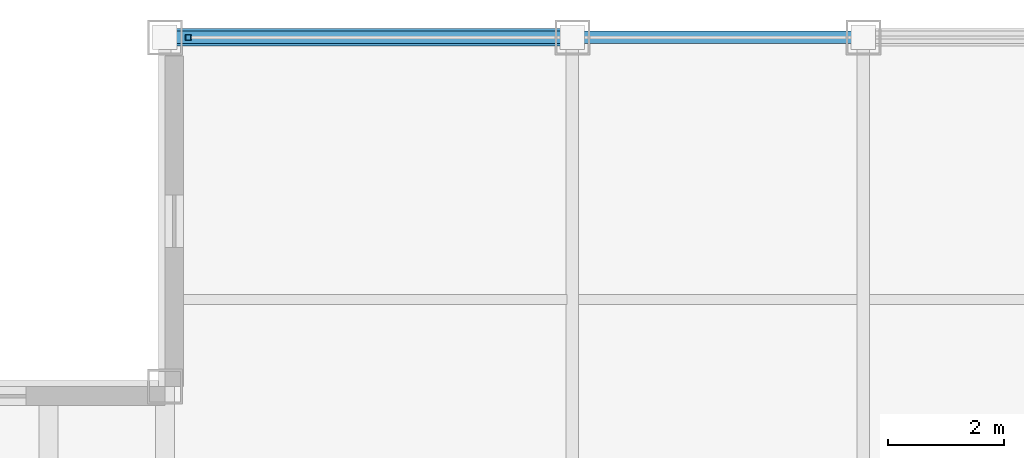
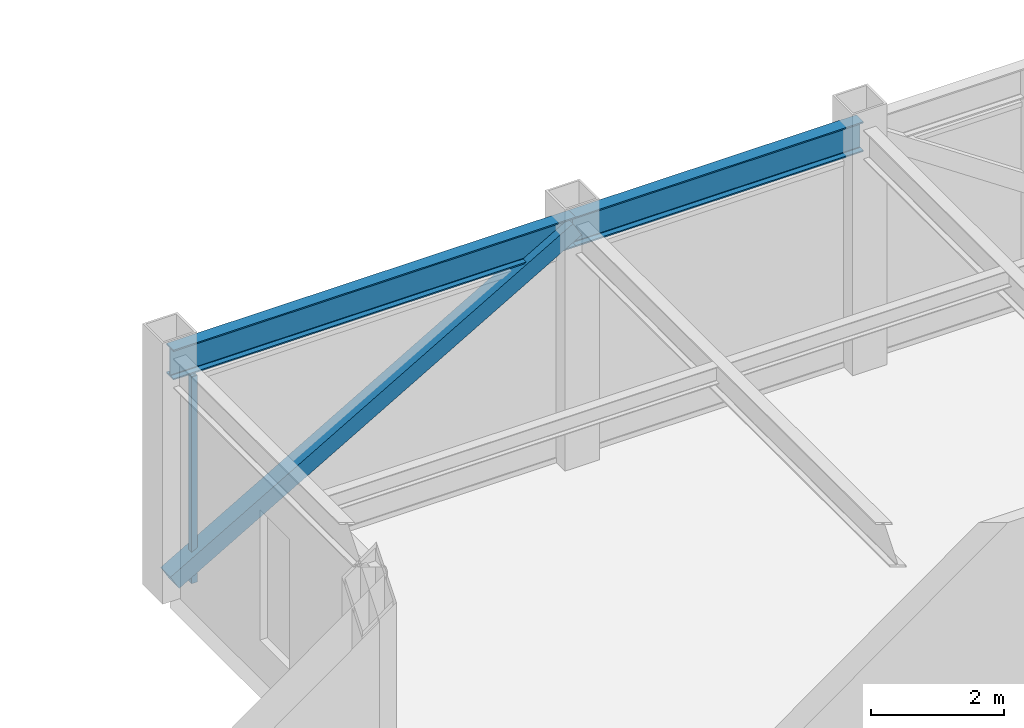
# One storey, part 16 of 27: 2 beams, 2 members, 1 element without a shape of its own.
"""IFC4 building model written with IfcOpenShell, lengths in metres."""

from ifc_helpers import new_model, si_unit, direction, frame, origin, origin_2d, place, context, subcontext, project, spatial, hollow_rectangle, i_section, extrude, source, transform, mapped, material, material_profile, profile_set, type_object, element, aggregate, save


model = new_model("IFC4")

# Units and contexts
model_context = context("Model", 3, precision=1e-05, world=origin(), true_north=direction((0.0, 1.0)))
body_context = subcontext(model_context, "Body", "Model", "MODEL_VIEW")
ifc_project = project(units=[si_unit("LENGTHUNIT", "METRE"), si_unit("AREAUNIT", "SQUARE_METRE"), si_unit("VOLUMEUNIT", "CUBIC_METRE"), si_unit("PLANEANGLEUNIT", "RADIAN"), si_unit("MASSUNIT", "GRAM", prefix="KILO")], contexts=[model_context])

# Site, building, storey
site_placement = place(None, origin())
site = spatial("IfcSite", under=ifc_project, at=site_placement, CompositionType="ELEMENT")
building_placement = place(site_placement, origin())
building = spatial("IfcBuilding", under=site, at=building_placement, Name="Khorayat Bourse Tower", CompositionType="ELEMENT")
storey_placement = place(building_placement, frame((0.0, 0.0, 394.699951171875)))
storey = spatial("IfcBuildingStorey", under=building, at=storey_placement, Name="L93", CompositionType="ELEMENT", Elevation=394.699951171875)

# Beams
ifc_material_1 = material(Name="Steel ASTM A992 Grade 50", Category="steel")
ifc_material_profile_1 = material_profile(ifc_material_1, i_section(OverallWidth=0.214111328125, OverallDepth=0.549072265625, WebThickness=0.0146484375, FlangeThickness=0.023681640625, FilletRadius=0.013916015625, at=origin_2d()), Name="W530X138")
ifc_profile_set_1 = profile_set([ifc_material_profile_1], Name="Steel ASTM A992 Grade 50")
beam_type = type_object("IfcBeamType", Name="BM-SPAN-530", PredefinedType="SPANDREL", material=ifc_profile_set_1)
shared_shape_1 = source(origin(), body_context, "Body", "SweptSolid", [
    extrude(i_section(OverallWidth=0.214111328125, OverallDepth=0.549072265625, WebThickness=0.0146484375, FlangeThickness=0.023681640625, FilletRadius=0.013916015625, at=origin_2d()), origin(), (0.0, 0.0, 1.0), 5.0),
])
beam_1_placement = place(storey_placement, frame((-11.0, 24.0, 4.175537109375), z_axis=(1.0, 0.0, 0.0), x_axis=(0.0, 1.0, 0.0)))
element("IfcBeam", 1, at=beam_1_placement, inside=storey, type_object=beam_type, Name="L93 BM-SPAN-530 BM-L93-SPN-044", PredefinedType="SPANDREL", context=body_context, shape_type="MappedRepresentation", body=[
    mapped(shared_shape_1, transform((0.0, 0.0, 0.0), scale=1.0)),
])
shared_shape_2 = source(origin(), body_context, "Body", "SweptSolid", [
    extrude(i_section(OverallWidth=0.214111328125, OverallDepth=0.549072265625, WebThickness=0.0146484375, FlangeThickness=0.023681640625, FilletRadius=0.013916015625, at=origin_2d()), origin(), (0.0, 0.0, 1.0), 7.0),
])
beam_2_placement = place(storey_placement, frame((-18.0, 24.0, 4.175537109375), z_axis=(1.0, 0.0, 0.0), x_axis=(0.0, 1.0, 0.0)))
element("IfcBeam", 2, at=beam_2_placement, inside=storey, type_object=beam_type, Name="L93 BM-SPAN-530 BM-L93-SPN-045", PredefinedType="SPANDREL", context=body_context, shape_type="MappedRepresentation", body=[
    mapped(shared_shape_2, transform((0.0, 0.0, 0.0), scale=1.0)),
])

# Member
ifc_material_2 = material(Name="Steel EN 10025-2 S355J2", Category="steel")
ifc_material_profile_2 = material_profile(ifc_material_2, hollow_rectangle(XDim=0.300048828125, YDim=0.300048828125, WallThickness=0.01611328125, at=origin_2d()), Name="HSS 300x300x16")
ifc_profile_set_2 = profile_set([ifc_material_profile_2], Name="Steel EN 10025-2 S355J2")
member_type_1 = type_object("IfcMemberType", Name="MBR-CROWN-300", PredefinedType="USERDEFINED", material=ifc_profile_set_2)
shared_shape_3 = source(origin(), body_context, "Body", "SweptSolid", [
    extrude(hollow_rectangle(XDim=0.300048828125, YDim=0.300048828125, WallThickness=0.01611328125, at=origin_2d()), origin(), (0.0, 0.0, 1.0), 8.087158203125),
])
member_1_placement = place(storey_placement, frame((-18.0, 24.0, 0.199951171875), z_axis=(0.865564731219, 0.0, 0.500797060763), x_axis=(0.0, 1.0, 0.0)))
element("IfcMember", 3, at=member_1_placement, inside=storey, type_object=member_type_1, Name="L93 Lantern Crown Frame Member 05", ObjectType="CROWN FRAME", PredefinedType="USERDEFINED", context=body_context, shape_type="MappedRepresentation", body=[
    mapped(shared_shape_3, transform((0.0, 0.0, 0.0), scale=1.0)),
])

# Curtain wall, member
ifc_material_3 = material(Name="Aluminium EN AW-6063 T6", Category="aluminium")
curtain_wall_type = type_object("IfcCurtainWallType", Name="CW-SYS-07", PredefinedType="NOTDEFINED", material=ifc_material_3)
curtain_wall_placement = place(storey_placement, origin())
curtain_wall = element("IfcCurtainWall", 4, at=curtain_wall_placement, inside=storey, type_object=curtain_wall_type, Name="L93 Curtain Wall CW-L93-N1", PredefinedType="NOTDEFINED")
ifc_material_profile_3 = material_profile(ifc_material_3, hollow_rectangle(XDim=0.10009765625, YDim=0.10009765625, WallThickness=0.0048828125, at=origin_2d()), Name="ALU 100x100x5")
ifc_profile_set_3 = profile_set([ifc_material_profile_3], Name="Aluminium EN AW-6063 T6")
member_type_2 = type_object("IfcMemberType", Name="CWM-LANTERN-100", PredefinedType="MULLION", material=ifc_profile_set_3)
shared_shape_4 = source(origin(), body_context, "Body", "SweptSolid", [
    extrude(hollow_rectangle(XDim=0.10009765625, YDim=0.10009765625, WallThickness=0.0048828125, at=origin_2d()), origin(), (0.0, 0.0, 1.0), 3.800048828125),
])
member_2_placement = place(storey_placement, frame((-17.60009765625, 24.0, 0.0), z_axis=(0.0, 0.0, 1.0), x_axis=(0.0, 1.0, 0.0)))
member_2 = element("IfcMember", 5, at=member_2_placement, type_object=member_type_2, Name="CW-L93-N1 Vertical Mullion 1", PredefinedType="MULLION", context=body_context, shape_type="MappedRepresentation", body=[
    mapped(shared_shape_4, transform((0.0, 0.0, 0.0), scale=1.0)),
])
aggregate(curtain_wall, [member_2])

save(model, "model.ifc")
